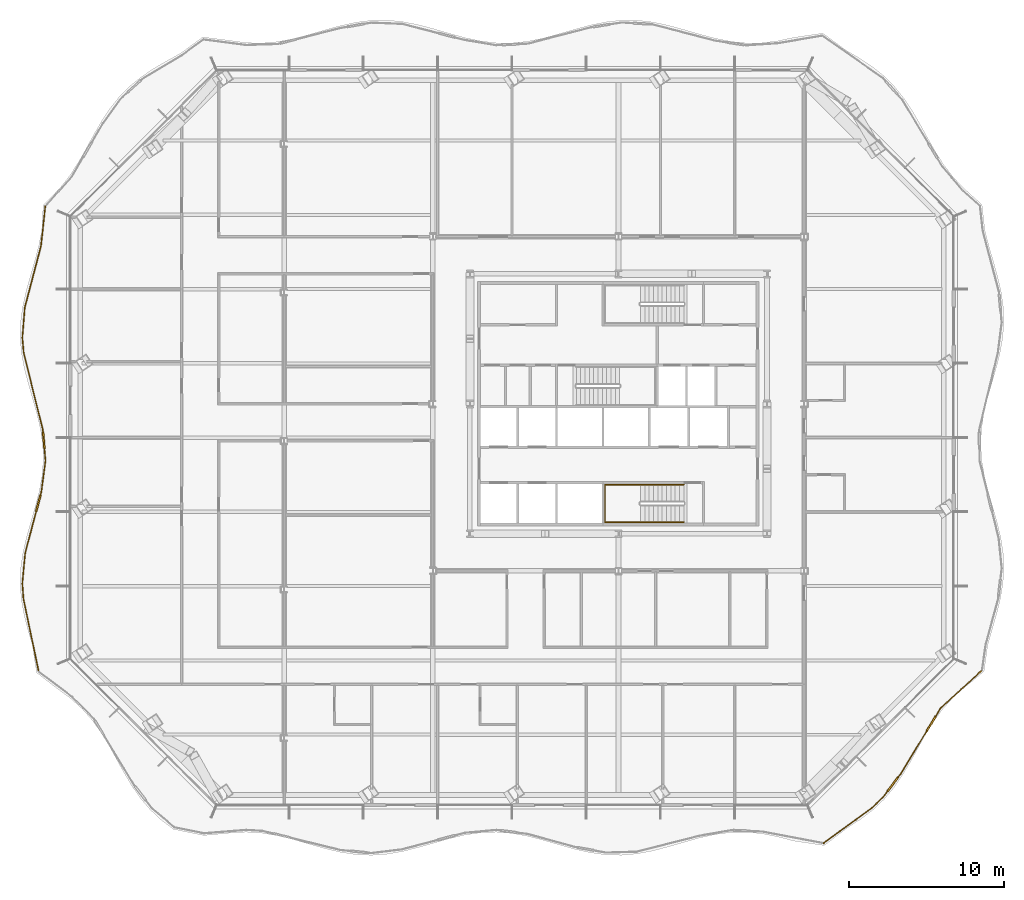
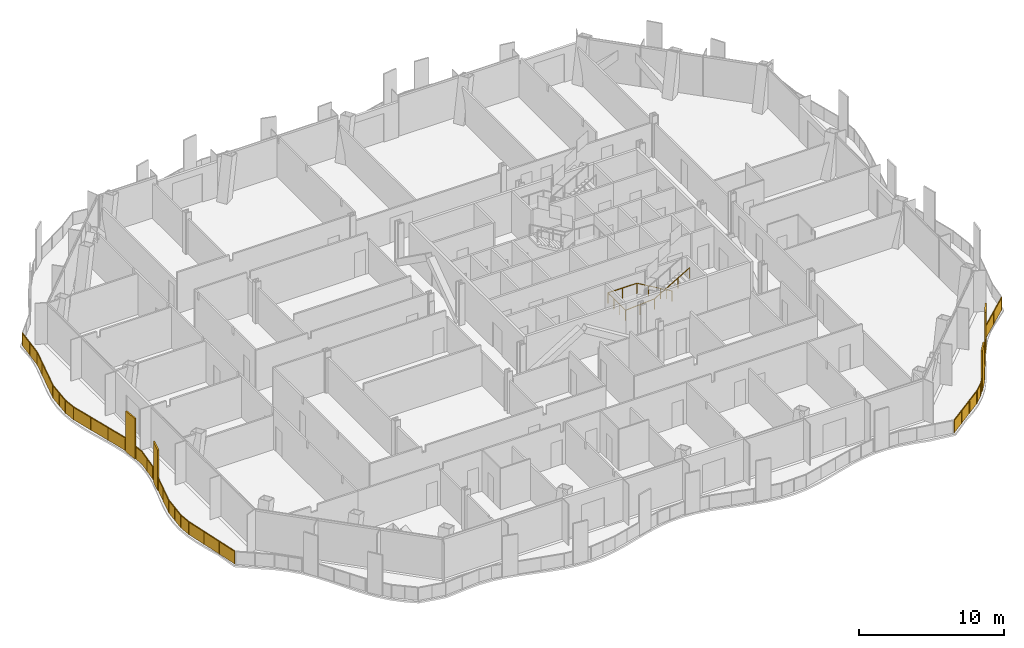
# One storey, part 15 of 19: 3 railings.
"""IFC4 building model written with IfcOpenShell, lengths in metres."""

import ifcopenshell
import ifcopenshell.guid

model = None  # the IFC model being written
_history = None  # IfcOwnerHistory: only IFC2X3 demands one
_inside = {}  # id of a spatial element -> (the spatial element, [elements in it])
_under = {}  # id of a project, library or spatial element -> (it, [spatial elements below it])
_declared = {}  # id of a project -> (the project, [libraries it declares])
_typed = {}  # id of a type object -> (the type object, [elements of that type])
_made_of = {}  # id of a material, layer set ... -> (it, [elements and type objects made of it])


def new_model(schema):
    """Start an empty IFC model of exactly this schema.

    Asked for "IFC4X3", IfcOpenShell would pick the latest addendum, in which some entities
    have other attributes; the version numbers below select the first issue.
    IFC2X3 requires an IfcOwnerHistory on every rooted entity: one is made here for all.
    """
    global model, _history
    if schema == "IFC4X3":
        model = ifcopenshell.file(schema_version=(4, 3, 0, 0))
    else:
        model = ifcopenshell.file(schema=schema)
    _inside.clear()
    _under.clear()
    _declared.clear()
    _typed.clear()
    _made_of.clear()
    _history = None
    if model.schema == "IFC2X3":
        org = make("IfcOrganization", Name="unknown")
        user = make(
            "IfcPersonAndOrganization",
            ThePerson=make("IfcPerson", FamilyName="unknown"),
            TheOrganization=org,
        )
        app = make(
            "IfcApplication",
            ApplicationDeveloper=org,
            Version="unknown",
            ApplicationFullName="unknown",
            ApplicationIdentifier="unknown",
        )
        _history = make(
            "IfcOwnerHistory",
            OwningUser=user,
            OwningApplication=app,
            ChangeAction="ADDED",
            CreationDate=0,
        )
    return model


def make(cls, **values):
    """One entity of the class cls with the attributes given. An attribute that is None is left unset."""
    return model.create_entity(
        cls, **{name: value for name, value in values.items() if value is not None}
    )


def rooted(cls, **values):
    """An entity with a GlobalId (a new one), such as an element, a storey or a relation."""
    return make(cls, GlobalId=ifcopenshell.guid.new(), OwnerHistory=_history, **values)


def si_unit(unit_type, name, prefix=None):
    """IfcSIUnit, for example si_unit("LENGTHUNIT", "METRE", prefix="MILLI")."""
    return make("IfcSIUnit", UnitType=unit_type, Prefix=prefix, Name=name)


def assignment(units):
    """IfcUnitAssignment: the units of a project."""
    return None if units is None else make("IfcUnitAssignment", Units=units)


def point(xyz):
    """IfcCartesianPoint."""
    return None if xyz is None else make("IfcCartesianPoint", Coordinates=xyz)


def direction(xyz):
    """IfcDirection."""
    return None if xyz is None else make("IfcDirection", DirectionRatios=xyz)


def frame(location, z_axis=None, x_axis=None):
    """IfcAxis2Placement3D, a coordinate frame: its origin and axes. An axis left out is left unset."""
    return make(
        "IfcAxis2Placement3D",
        Location=point(location),
        Axis=direction(z_axis),
        RefDirection=direction(x_axis),
    )


def frame_2d(location, x_axis=None):
    """IfcAxis2Placement2D, a coordinate frame in the plane: its origin and x axis."""
    return make(
        "IfcAxis2Placement2D", Location=point(location), RefDirection=direction(x_axis)
    )


def origin():
    """The frame at (0, 0, 0) with its axes left unset."""
    return frame((0.0, 0.0, 0.0))


def origin_2d():
    """The frame at (0, 0) in the plane with its x axis left unset."""
    return frame_2d((0.0, 0.0))


def place(relative_to, where):
    """IfcLocalPlacement: puts the frame where relative to a parent placement (None: the world)."""
    return make(
        "IfcLocalPlacement", PlacementRelTo=relative_to, RelativePlacement=where
    )


def context(
    kind, dimensions, precision=None, world=None, true_north=None, identifier=None
):
    """IfcGeometricRepresentationContext, for example the 3D "Model" context."""
    return make(
        "IfcGeometricRepresentationContext",
        ContextIdentifier=identifier,
        ContextType=kind,
        CoordinateSpaceDimension=dimensions,
        Precision=precision,
        WorldCoordinateSystem=world,
        TrueNorth=true_north,
    )


def subcontext(parent, identifier, kind, view, scale=None):
    """IfcGeometricRepresentationSubContext, for example "Body" below "Model"."""
    return make(
        "IfcGeometricRepresentationSubContext",
        ContextIdentifier=identifier,
        ContextType=kind,
        ParentContext=parent,
        TargetScale=scale,
        TargetView=view,
    )


def project(units=None, contexts=None):
    """IfcProject with its units and contexts."""
    return rooted(
        "IfcProject",
        Name="project",
        RepresentationContexts=contexts,
        UnitsInContext=assignment(units),
    )


def spatial(cls, under=None, at=None, **own):
    """A site, building, storey or space (cls), placed at a placement, below another one or the project."""
    s = rooted(cls, ObjectPlacement=at, **own)
    if under is not None:
        _under.setdefault(under.id(), (under, []))[1].append(s)
    return s


def polyline(points):
    """IfcPolyline through the points."""
    return make("IfcPolyline", Points=[point(p) for p in points])


def profile(cls, at=None, kind="AREA", **sizes):
    """A parametric profile (cls). Its sizes go by their IFC names, for example OverallWidth=200.0."""
    return make(cls, ProfileType=kind, Position=at, **sizes)


def rectangle(**sizes):
    """IfcRectangleProfileDef."""
    return profile("IfcRectangleProfileDef", **sizes)


def outline(outer, holes=None, kind="AREA"):
    """IfcArbitraryClosedProfileDef: a profile drawn as a closed curve; with holes, ...WithVoids."""
    if holes is None:
        return make("IfcArbitraryClosedProfileDef", ProfileType=kind, OuterCurve=outer)
    return make(
        "IfcArbitraryProfileDefWithVoids",
        ProfileType=kind,
        OuterCurve=outer,
        InnerCurves=holes,
    )


def extrude(swept, where, along, depth):
    """IfcExtrudedAreaSolid: the profile swept, set in the frame where, extruded along a direction by depth."""
    return make(
        "IfcExtrudedAreaSolid",
        SweptArea=swept,
        Position=where,
        ExtrudedDirection=direction(along),
        Depth=depth,
    )


def shape(context_of_items, identifier, shape_type, items):
    """IfcShapeRepresentation: the items that make up one representation, for example the "Body"."""
    return make(
        "IfcShapeRepresentation",
        ContextOfItems=context_of_items,
        RepresentationIdentifier=identifier,
        RepresentationType=shape_type,
        Items=items,
    )


def material(Name=None, Category=None):
    """IfcMaterial."""
    return make("IfcMaterial", Name=Name, Category=Category)


def made_of(thing, what):
    """Note that an element or type object is made of a material, layer set ...; save() writes the relation."""
    if what is not None:
        _made_of.setdefault(what.id(), (what, []))[1].append(thing)
    return thing


def type_object(cls, material=None, **own):
    """A type object (cls), such as IfcWallType, which elements share."""
    return made_of(rooted(cls, **own), material)


def element(
    cls,
    number,
    at=None,
    inside=None,
    cuts=None,
    type_object=None,
    material=None,
    context=None,
    identifier="Body",
    shape_type=None,
    held_by="IfcProductDefinitionShape",
    body=None,
    shapes=None,
    **own,
):
    """One element of the class cls, such as IfcWall. Its Tag is "e" and its number.

    at: its placement. inside: the storey or other place that contains it. cuts: it is an
    opening in that element (IfcRelVoidsElement). A single representation is given by context,
    identifier, shape_type and body (its items); several are given by shapes. held_by: the class
    of the entity that holds the representations. save() writes the other relations.
    """
    e = rooted(cls, Tag="e%d" % number, ObjectPlacement=at, **own)
    if body is not None:
        shapes = [shape(context, identifier, shape_type, body)]
    if shapes is not None:
        e.Representation = make(held_by, Representations=shapes)
    if inside is not None:
        _inside.setdefault(inside.id(), (inside, []))[1].append(e)
    if cuts is not None:
        rooted(
            "IfcRelVoidsElement", RelatingBuildingElement=cuts, RelatedOpeningElement=e
        )
    if type_object is not None:
        _typed.setdefault(type_object.id(), (type_object, []))[1].append(e)
    return made_of(e, material)


def aggregate(whole, parts):
    """IfcRelAggregates: a whole, such as a stair, and the parts it consists of."""
    return rooted("IfcRelAggregates", RelatingObject=whole, RelatedObjects=parts)


def save(model, path):
    """Write the relations noted so far, then the file.

    IfcRelAggregates (storeys below a building ...), IfcRelContainedInSpatialStructure (elements
    in a storey), IfcRelDefinesByType, IfcRelAssociatesMaterial and IfcRelDeclares: one each for
    every whole, place, type object, material and project.
    """
    for whole, parts in _under.values():
        aggregate(whole, parts)
    for where, things in _inside.values():
        rooted(
            "IfcRelContainedInSpatialStructure",
            RelatedElements=things,
            RelatingStructure=where,
        )
    for kind, things in _typed.values():
        rooted("IfcRelDefinesByType", RelatedObjects=things, RelatingType=kind)
    for what, things in _made_of.values():
        rooted("IfcRelAssociatesMaterial", RelatedObjects=things, RelatingMaterial=what)
    for by, libraries in _declared.values():
        rooted("IfcRelDeclares", RelatingContext=by, RelatedDefinitions=libraries)
    model.write(path)


model = new_model("IFC4")

# Units and contexts
model_context = context("Model", 3, precision=1e-05, world=origin(), true_north=direction((0.0, 1.0)))
body_context = subcontext(model_context, "Body", "Model", "MODEL_VIEW")
ifc_project = project(units=[si_unit("LENGTHUNIT", "METRE"), si_unit("AREAUNIT", "SQUARE_METRE"), si_unit("VOLUMEUNIT", "CUBIC_METRE"), si_unit("PLANEANGLEUNIT", "RADIAN"), si_unit("MASSUNIT", "GRAM", prefix="KILO")], contexts=[model_context])

# Site, building, storey
site_placement = place(None, origin())
site = spatial("IfcSite", under=ifc_project, at=site_placement, CompositionType="ELEMENT")
building_placement = place(site_placement, origin())
building = spatial("IfcBuilding", under=site, at=building_placement, Name="Cairn Pilgrim Tower", CompositionType="ELEMENT")
storey_placement = place(building_placement, frame((0.0, 0.0, 90.60009765625)))
storey = spatial("IfcBuildingStorey", under=building, at=storey_placement, Name="L21", CompositionType="ELEMENT", Elevation=90.60009765625)

# Railings
ifc_material_1 = material(Name="Bronze anodised aluminium rail, posts and fin screens with laminated glass infill", Category="aluminium")
railing_type_1 = type_object("IfcRailingType", Name="BALCONY GUARD WITH FIN SCREENS", PredefinedType="GUARDRAIL", material=ifc_material_1)
railing_1_placement = place(storey_placement, frame((20.465087890625, -25.994140625, 0.0)))
element("IfcRailing", 1, at=railing_1_placement, inside=storey, type_object=railing_type_1, Name="Balcony guard BGF-1 with fin screens", PredefinedType="GUARDRAIL", context=body_context, shape_type="SweptSolid", body=[
    extrude(rectangle(XDim=0.050048828125, YDim=0.050048828125, at=origin_2d()), frame((0.0, 0.0, 1.0751953125), z_axis=(0.807432819164, 0.589959526185, 0.0), x_axis=(-0.589959526185, 0.807432819164, 0.0)), (0.0, 0.0, 1.0), 3.86181640625),
    extrude(rectangle(XDim=0.050048828125, YDim=0.050048828125, at=origin_2d()), frame((3.1181640625, 2.2783203125, 1.0751953125), z_axis=(0.723519197684, 0.690304259427, 0.0), x_axis=(-0.690304259427, 0.723519197684, 0.0)), (0.0, 0.0, 1.0), 0.9482421875),
    extrude(rectangle(XDim=1.10009765625, YDim=0.110107421875, at=origin_2d()), frame((4.4697265625, 3.806640625, 0.0), z_axis=(0.0, 0.0, 1.0), x_axis=(0.605891332539, 0.795547417288, 0.0)), (0.0, 0.0, 1.0), 3.39990234375),
    extrude(rectangle(XDim=0.050048828125, YDim=0.050048828125, at=origin_2d()), frame((3.80419921875, 2.932861328125, 1.0751953125), z_axis=(0.605891332539, 0.795547417288, 0.0), x_axis=(-0.795547417288, 0.605891332539, 0.0)), (0.0, 0.0, 1.0), 0.54833984375),
    extrude(rectangle(XDim=0.050048828125, YDim=0.050048828125, at=origin_2d()), frame((4.802978515625, 4.244140625, 1.0751953125), z_axis=(0.605891332539, 0.795547417288, 0.0), x_axis=(-0.795547417288, 0.605891332539, 0.0)), (0.0, 0.0, 1.0), 0.2890625),
    extrude(rectangle(XDim=1.10009765625, YDim=0.110107421875, at=origin_2d()), frame((6.954833984375, 7.726806640625, 0.0), z_axis=(0.0, 0.0, 1.0), x_axis=(0.519337068496, 0.854569487687, 0.0)), (0.0, 0.0, 1.0), 3.39990234375),
    extrude(rectangle(XDim=0.050048828125, YDim=0.050048828125, at=origin_2d()), frame((4.97802734375, 4.47412109375, 1.0751953125), z_axis=(0.519337068496, 0.854569487687, 0.0), x_axis=(-0.854569487687, 0.519337068496, 0.0)), (0.0, 0.0, 1.0), 3.25634765625),
    extrude(rectangle(XDim=0.050048828125, YDim=0.050048828125, at=origin_2d()), frame((7.240478515625, 8.19677734375, 1.0751953125), z_axis=(0.519337068496, 0.854569487687, 0.0), x_axis=(-0.854569487687, 0.519337068496, 0.0)), (0.0, 0.0, 1.0), 0.6484375),
    extrude(rectangle(XDim=0.050048828125, YDim=0.050048828125, at=origin_2d()), frame((7.5771484375, 8.7509765625, 1.0751953125), z_axis=(0.738561836319, 0.67418574142, 0.0), x_axis=(-0.67418574142, 0.738561836319, 0.0)), (0.0, 0.0, 1.0), 3.53076171875),
    extrude(rectangle(XDim=0.050048828125, YDim=0.050048828125, at=origin_2d()), origin(), (0.0, 0.0, 1.0), 1.050048828125),
    extrude(rectangle(XDim=0.050048828125, YDim=0.050048828125, at=origin_2d()), frame((1.039306640625, 0.759521484375, 0.0)), (0.0, 0.0, 1.0), 1.050048828125),
    extrude(rectangle(XDim=0.050048828125, YDim=0.050048828125, at=origin_2d()), frame((2.078857421875, 1.518798828125, 0.0)), (0.0, 0.0, 1.0), 1.050048828125),
    extrude(rectangle(XDim=0.050048828125, YDim=0.050048828125, at=origin_2d()), frame((3.1181640625, 2.2783203125, 0.0)), (0.0, 0.0, 1.0), 1.050048828125),
    extrude(rectangle(XDim=0.050048828125, YDim=0.050048828125, at=origin_2d()), frame((3.80419921875, 2.932861328125, 0.0)), (0.0, 0.0, 1.0), 1.050048828125),
    extrude(rectangle(XDim=0.050048828125, YDim=0.050048828125, at=origin_2d()), frame((4.121337890625, 3.34912109375, 0.0)), (0.0, 0.0, 1.0), 1.050048828125),
    extrude(rectangle(XDim=0.050048828125, YDim=0.050048828125, at=origin_2d()), frame((4.818115234375, 4.26416015625, 0.0)), (0.0, 0.0, 1.0), 1.050048828125),
    extrude(rectangle(XDim=0.050048828125, YDim=0.050048828125, at=origin_2d()), frame((4.97802734375, 4.47412109375, 0.0)), (0.0, 0.0, 1.0), 1.050048828125),
    extrude(rectangle(XDim=0.050048828125, YDim=0.050048828125, at=origin_2d()), frame((5.817138671875, 5.854736328125, 0.0)), (0.0, 0.0, 1.0), 1.050048828125),
    extrude(rectangle(XDim=0.050048828125, YDim=0.050048828125, at=origin_2d()), frame((6.656005859375, 7.2353515625, 0.0)), (0.0, 0.0, 1.0), 1.050048828125),
    extrude(rectangle(XDim=0.050048828125, YDim=0.050048828125, at=origin_2d()), frame((7.25341796875, 8.21826171875, 0.0)), (0.0, 0.0, 1.0), 1.050048828125),
    extrude(rectangle(XDim=0.050048828125, YDim=0.050048828125, at=origin_2d()), frame((7.5771484375, 8.7509765625, 0.0)), (0.0, 0.0, 1.0), 1.050048828125),
    extrude(rectangle(XDim=0.050048828125, YDim=0.050048828125, at=origin_2d()), frame((8.880859375, 9.941162109375, 0.0)), (0.0, 0.0, 1.0), 1.050048828125),
    extrude(rectangle(XDim=0.050048828125, YDim=0.050048828125, at=origin_2d()), frame((10.184814453125, 11.13134765625, 0.0)), (0.0, 0.0, 1.0), 1.050048828125),
    extrude(outline(polyline([(0.02490234375, 0.0), (1.26220703125, 0.0), (1.26220703125, 1.050048828125), (0.02490234375, 1.050048828125), (0.02490234375, 0.0)])), frame((-0.00341796875, 0.0048828125, 0.0), z_axis=(0.589959526185, -0.807432819164, 0.0), x_axis=(0.807432819164, 0.589959526185, 0.0)), (0.0, 0.0, 1.0), 0.011962890625),
    extrude(outline(polyline([(0.02490234375, 0.0), (1.26220703125, 0.0), (1.26220703125, 1.050048828125), (0.02490234375, 1.050048828125), (0.02490234375, 0.0)])), frame((1.035888671875, 0.76416015625, 0.0), z_axis=(0.589959526185, -0.807432819164, 0.0), x_axis=(0.807432819164, 0.589959526185, 0.0)), (0.0, 0.0, 1.0), 0.011962890625),
    extrude(outline(polyline([(0.02490234375, 0.0), (1.26220703125, 0.0), (1.26220703125, 1.050048828125), (0.02490234375, 1.050048828125), (0.02490234375, 0.0)])), frame((2.0751953125, 1.523681640625, 0.0), z_axis=(0.589959526185, -0.807432819164, 0.0), x_axis=(0.807432819164, 0.589959526185, 0.0)), (0.0, 0.0, 1.0), 0.011962890625),
    extrude(outline(polyline([(0.02490234375, 0.0), (0.923095703125, 0.0), (0.923095703125, 1.050048828125), (0.02490234375, 1.050048828125), (0.02490234375, 0.0)])), frame((3.114013671875, 2.28271484375, 0.0), z_axis=(0.690304259427, -0.723519197684, 0.0), x_axis=(0.723519197684, 0.690304259427, 0.0)), (0.0, 0.0, 1.0), 0.011962890625),
    extrude(outline(polyline([(0.02490234375, 0.0), (0.498291015625, 0.0), (0.498291015625, 1.050048828125), (0.02490234375, 1.050048828125), (0.02490234375, 0.0)])), frame((3.799560546875, 2.9365234375, 0.0), z_axis=(0.795547417288, -0.605891332539, 0.0), x_axis=(0.605891332539, 0.795547417288, 0.0)), (0.0, 0.0, 1.0), 0.011962890625),
    extrude(outline(polyline([(0.02490234375, 0.0), (0.239013671875, 0.0), (0.239013671875, 1.050048828125), (0.02490234375, 1.050048828125), (0.02490234375, 0.0)])), frame((4.813232421875, 4.267822265625, 0.0), z_axis=(0.795547417288, -0.605891332539, 0.0), x_axis=(0.605891332539, 0.795547417288, 0.0)), (0.0, 0.0, 1.0), 0.011962890625),
    extrude(outline(polyline([(0.02490234375, 0.0), (1.590576171875, 0.0), (1.590576171875, 1.050048828125), (0.02490234375, 1.050048828125), (0.02490234375, 0.0)])), frame((4.972900390625, 4.477294921875, 0.0), z_axis=(0.854569487687, -0.519337068496, 0.0), x_axis=(0.519337068496, 0.854569487687, 0.0)), (0.0, 0.0, 1.0), 0.011962890625),
    extrude(outline(polyline([(0.02490234375, 0.0), (1.590576171875, 0.0), (1.590576171875, 1.050048828125), (0.02490234375, 1.050048828125), (0.02490234375, 0.0)])), frame((5.81201171875, 5.85791015625, 0.0), z_axis=(0.854569487687, -0.519337068496, 0.0), x_axis=(0.519337068496, 0.854569487687, 0.0)), (0.0, 0.0, 1.0), 0.011962890625),
    extrude(outline(polyline([(0.02490234375, 0.0), (0.598388671875, 0.0), (0.598388671875, 1.050048828125), (0.02490234375, 1.050048828125), (0.02490234375, 0.0)])), frame((7.248291015625, 8.22119140625, 0.0), z_axis=(0.854569487687, -0.519337068496, 0.0), x_axis=(0.519337068496, 0.854569487687, 0.0)), (0.0, 0.0, 1.0), 0.011962890625),
    extrude(outline(polyline([(0.02490234375, 0.0), (1.740234375, 0.0), (1.740234375, 1.050048828125), (0.02490234375, 1.050048828125), (0.02490234375, 0.0)])), frame((7.572998046875, 8.75537109375, 0.0), z_axis=(0.67418574142, -0.738561836319, 0.0), x_axis=(0.738561836319, 0.67418574142, 0.0)), (0.0, 0.0, 1.0), 0.011962890625),
    extrude(outline(polyline([(0.02490234375, 0.0), (1.740234375, 0.0), (1.740234375, 1.050048828125), (0.02490234375, 1.050048828125), (0.02490234375, 0.0)])), frame((8.876953125, 9.945556640625, 0.0), z_axis=(0.67418574142, -0.738561836319, 0.0), x_axis=(0.738561836319, 0.67418574142, 0.0)), (0.0, 0.0, 1.0), 0.011962890625),
])
railing_2_placement = place(storey_placement, frame((-29.841796875, 15.17333984375, 0.0)))
element("IfcRailing", 2, at=railing_2_placement, inside=storey, type_object=railing_type_1, Name="Balcony guard BGF-6 with fin screens", PredefinedType="GUARDRAIL", context=body_context, shape_type="SweptSolid", body=[
    extrude(rectangle(XDim=0.050048828125, YDim=0.050048828125, at=origin_2d()), frame((0.0, 0.0, 1.0751953125), z_axis=(-0.107811935791, -0.994171306416, 0.0), x_axis=(0.994171306416, -0.107811935791, 0.0)), (0.0, 0.0, 1.0), 2.58837890625),
    extrude(rectangle(XDim=0.050048828125, YDim=0.050048828125, at=origin_2d()), frame((-0.279052734375, -2.5732421875, 1.0751953125), z_axis=(-0.254952755071, -0.966953511128, 0.0), x_axis=(0.966953511128, -0.254952755071, 0.0)), (0.0, 0.0, 1.0), 4.106201171875),
    extrude(rectangle(XDim=0.050048828125, YDim=0.050048828125, at=origin_2d()), frame((-1.325927734375, -6.543701171875, 1.0751953125), z_axis=(-0.079829107827, -0.99680856414, 0.0), x_axis=(0.99680856414, -0.079829107827, 0.0)), (0.0, 0.0, 1.0), 1.966552734375),
    extrude(rectangle(XDim=0.050048828125, YDim=0.050048828125, at=origin_2d()), frame((-1.48291015625, -8.50390625, 1.0751953125), z_axis=(0.086846237799, -0.99622172782, 0.0), x_axis=(0.99622172782, 0.086846237799, 0.0)), (0.0, 0.0, 1.0), 0.97265625),
    extrude(rectangle(XDim=0.050048828125, YDim=0.050048828125, at=origin_2d()), frame((-1.3984375, -9.472900390625, 1.0751953125), z_axis=(0.241468981361, -0.970408538215, 0.0), x_axis=(0.970408538215, 0.241468981361, 0.0)), (0.0, 0.0, 1.0), 5.116943359375),
    extrude(rectangle(XDim=1.10009765625, YDim=0.110107421875, at=origin_2d()), frame((-0.10302734375, -15.135986328125, 0.0), z_axis=(0.0, 0.0, 1.0), x_axis=(0.085623784974, -0.996327540243, 0.0)), (0.0, 0.0, 1.0), 3.39990234375),
    extrude(rectangle(XDim=0.050048828125, YDim=0.050048828125, at=origin_2d()), frame((-0.162841796875, -14.4384765625, 1.0751953125), z_axis=(0.085623784974, -0.996327540243, 0.0), x_axis=(0.996327540243, 0.085623784974, 0.0)), (0.0, 0.0, 1.0), 0.14990234375),
    extrude(rectangle(XDim=0.050048828125, YDim=0.050048828125, at=origin_2d()), frame((-0.055908203125, -15.683837890625, 1.0751953125), z_axis=(0.085623784974, -0.996327540243, 0.0), x_axis=(0.996327540243, 0.085623784974, 0.0)), (0.0, 0.0, 1.0), 0.771728515625),
    extrude(rectangle(XDim=0.050048828125, YDim=0.050048828125, at=origin_2d()), frame((0.01025390625, -16.45263671875, 1.0751953125), z_axis=(-0.130414054849, -0.991459618087, 0.0), x_axis=(0.991459618087, -0.130414054849, 0.0)), (0.0, 0.0, 1.0), 2.029296875),
    extrude(rectangle(XDim=1.10009765625, YDim=0.110107421875, at=origin_2d()), frame((-0.45263671875, -19.212890625, 0.0), z_axis=(0.0, 0.0, 1.0), x_axis=(-0.255956293071, -0.966688355178, 0.0)), (0.0, 0.0, 1.0), 3.39990234375),
    extrude(rectangle(XDim=0.050048828125, YDim=0.050048828125, at=origin_2d()), frame((-0.25439453125, -18.464599609375, 1.0751953125), z_axis=(-0.255956293071, -0.966688355178, 0.0), x_axis=(0.966688355178, -0.255956293071, 0.0)), (0.0, 0.0, 1.0), 0.22412109375),
    extrude(rectangle(XDim=0.050048828125, YDim=0.050048828125, at=origin_2d()), frame((-0.59326171875, -19.74462890625, 1.0751953125), z_axis=(-0.255956293071, -0.966688355178, 0.0), x_axis=(0.966688355178, -0.255956293071, 0.0)), (0.0, 0.0, 1.0), 2.7822265625),
    extrude(rectangle(XDim=0.050048828125, YDim=0.050048828125, at=origin_2d()), frame((-1.305419921875, -22.43408203125, 1.0751953125), z_axis=(-0.091474468188, -0.99580742198, 0.0), x_axis=(0.99580742198, -0.091474468188, 0.0)), (0.0, 0.0, 1.0), 1.9697265625),
    extrude(rectangle(XDim=0.050048828125, YDim=0.050048828125, at=origin_2d()), frame((-1.485595703125, -24.3955078125, 1.0751953125), z_axis=(0.074740067607, -0.997203049682, 0.0), x_axis=(0.997203049682, 0.074740067607, 0.0)), (0.0, 0.0, 1.0), 0.973388671875),
    extrude(rectangle(XDim=0.050048828125, YDim=0.050048828125, at=origin_2d()), frame((-1.412841796875, -25.3662109375, 1.0751953125), z_axis=(0.204297164916, -0.978908917319, 0.0), x_axis=(0.978908917319, 0.204297164916, 0.0)), (0.0, 0.0, 1.0), 4.747802734375),
    extrude(rectangle(XDim=0.050048828125, YDim=0.050048828125, at=origin_2d()), origin(), (0.0, 0.0, 1.0), 1.050048828125),
    extrude(rectangle(XDim=0.050048828125, YDim=0.050048828125, at=origin_2d()), frame((-0.1396484375, -1.28662109375, 0.0)), (0.0, 0.0, 1.0), 1.050048828125),
    extrude(rectangle(XDim=0.050048828125, YDim=0.050048828125, at=origin_2d()), frame((-0.279052734375, -2.5732421875, 0.0)), (0.0, 0.0, 1.0), 1.050048828125),
    extrude(rectangle(XDim=0.050048828125, YDim=0.050048828125, at=origin_2d()), frame((-0.6279296875, -3.896728515625, 0.0)), (0.0, 0.0, 1.0), 1.050048828125),
    extrude(rectangle(XDim=0.050048828125, YDim=0.050048828125, at=origin_2d()), frame((-0.97705078125, -5.22021484375, 0.0)), (0.0, 0.0, 1.0), 1.050048828125),
    extrude(rectangle(XDim=0.050048828125, YDim=0.050048828125, at=origin_2d()), frame((-1.325927734375, -6.543701171875, 0.0)), (0.0, 0.0, 1.0), 1.050048828125),
    extrude(rectangle(XDim=0.050048828125, YDim=0.050048828125, at=origin_2d()), frame((-1.404296875, -7.52392578125, 0.0)), (0.0, 0.0, 1.0), 1.050048828125),
    extrude(rectangle(XDim=0.050048828125, YDim=0.050048828125, at=origin_2d()), frame((-1.48291015625, -8.50390625, 0.0)), (0.0, 0.0, 1.0), 1.050048828125),
    extrude(rectangle(XDim=0.050048828125, YDim=0.050048828125, at=origin_2d()), frame((-1.3984375, -9.472900390625, 0.0)), (0.0, 0.0, 1.0), 1.050048828125),
    extrude(rectangle(XDim=0.050048828125, YDim=0.050048828125, at=origin_2d()), frame((-0.986572265625, -11.128173828125, 0.0)), (0.0, 0.0, 1.0), 1.050048828125),
    extrude(rectangle(XDim=0.050048828125, YDim=0.050048828125, at=origin_2d()), frame((-0.57470703125, -12.783203125, 0.0)), (0.0, 0.0, 1.0), 1.050048828125),
    extrude(rectangle(XDim=0.050048828125, YDim=0.050048828125, at=origin_2d()), frame((-0.162841796875, -14.4384765625, 0.0)), (0.0, 0.0, 1.0), 1.050048828125),
    extrude(rectangle(XDim=0.050048828125, YDim=0.050048828125, at=origin_2d()), frame((-0.152099609375, -14.56298828125, 0.0)), (0.0, 0.0, 1.0), 1.050048828125),
    extrude(rectangle(XDim=0.050048828125, YDim=0.050048828125, at=origin_2d()), frame((-0.0537109375, -15.708740234375, 0.0)), (0.0, 0.0, 1.0), 1.050048828125),
    extrude(rectangle(XDim=0.050048828125, YDim=0.050048828125, at=origin_2d()), frame((0.01025390625, -16.45263671875, 0.0)), (0.0, 0.0, 1.0), 1.050048828125),
    extrude(rectangle(XDim=0.050048828125, YDim=0.050048828125, at=origin_2d()), frame((-0.1220703125, -17.45849609375, 0.0)), (0.0, 0.0, 1.0), 1.050048828125),
    extrude(rectangle(XDim=0.050048828125, YDim=0.050048828125, at=origin_2d()), frame((-0.25439453125, -18.464599609375, 0.0)), (0.0, 0.0, 1.0), 1.050048828125),
    extrude(rectangle(XDim=0.050048828125, YDim=0.050048828125, at=origin_2d()), frame((-0.305419921875, -18.656982421875, 0.0)), (0.0, 0.0, 1.0), 1.050048828125),
    extrude(rectangle(XDim=0.050048828125, YDim=0.050048828125, at=origin_2d()), frame((-0.599609375, -19.768798828125, 0.0)), (0.0, 0.0, 1.0), 1.050048828125),
    extrude(rectangle(XDim=0.050048828125, YDim=0.050048828125, at=origin_2d()), frame((-0.95263671875, -21.101318359375, 0.0)), (0.0, 0.0, 1.0), 1.050048828125),
    extrude(rectangle(XDim=0.050048828125, YDim=0.050048828125, at=origin_2d()), frame((-1.305419921875, -22.43408203125, 0.0)), (0.0, 0.0, 1.0), 1.050048828125),
    extrude(rectangle(XDim=0.050048828125, YDim=0.050048828125, at=origin_2d()), frame((-1.3955078125, -23.414794921875, 0.0)), (0.0, 0.0, 1.0), 1.050048828125),
    extrude(rectangle(XDim=0.050048828125, YDim=0.050048828125, at=origin_2d()), frame((-1.485595703125, -24.3955078125, 0.0)), (0.0, 0.0, 1.0), 1.050048828125),
    extrude(rectangle(XDim=0.050048828125, YDim=0.050048828125, at=origin_2d()), frame((-1.412841796875, -25.3662109375, 0.0)), (0.0, 0.0, 1.0), 1.050048828125),
    extrude(rectangle(XDim=0.050048828125, YDim=0.050048828125, at=origin_2d()), frame((-1.089599609375, -26.91552734375, 0.0)), (0.0, 0.0, 1.0), 1.050048828125),
    extrude(rectangle(XDim=0.050048828125, YDim=0.050048828125, at=origin_2d()), frame((-0.76611328125, -28.464599609375, 0.0)), (0.0, 0.0, 1.0), 1.050048828125),
    extrude(rectangle(XDim=0.050048828125, YDim=0.050048828125, at=origin_2d()), frame((-0.44287109375, -30.013916015625, 0.0)), (0.0, 0.0, 1.0), 1.050048828125),
    extrude(outline(polyline([(0.02490234375, 0.0), (1.26904296875, 0.0), (1.26904296875, 1.050048828125), (0.02490234375, 1.050048828125), (0.02490234375, 0.0)])), frame((0.005859375, -0.000732421875, 0.0), z_axis=(-0.994171306416, 0.107811935791, 0.0), x_axis=(-0.107811935791, -0.994171306416, 0.0)), (0.0, 0.0, 1.0), 0.011962890625),
    extrude(outline(polyline([(0.02490234375, 0.0), (1.26904296875, 0.0), (1.26904296875, 1.050048828125), (0.02490234375, 1.050048828125), (0.02490234375, 0.0)])), frame((-0.133544921875, -1.287353515625, 0.0), z_axis=(-0.994171306416, 0.107811935791, 0.0), x_axis=(-0.107811935791, -0.994171306416, 0.0)), (0.0, 0.0, 1.0), 0.011962890625),
    extrude(outline(polyline([(0.02490234375, 0.0), (1.34375, 0.0), (1.34375, 1.050048828125), (0.02490234375, 1.050048828125), (0.02490234375, 0.0)])), frame((-0.273193359375, -2.57470703125, 0.0), z_axis=(-0.966953511128, 0.254952755071, 0.0), x_axis=(-0.254952755071, -0.966953511128, 0.0)), (0.0, 0.0, 1.0), 0.011962890625),
    extrude(outline(polyline([(0.02490234375, 0.0), (1.34375, 0.0), (1.34375, 1.050048828125), (0.02490234375, 1.050048828125), (0.02490234375, 0.0)])), frame((-0.622314453125, -3.898193359375, 0.0), z_axis=(-0.966953511128, 0.254952755071, 0.0), x_axis=(-0.254952755071, -0.966953511128, 0.0)), (0.0, 0.0, 1.0), 0.011962890625),
    extrude(outline(polyline([(0.02490234375, 0.0), (1.34375, 0.0), (1.34375, 1.050048828125), (0.02490234375, 1.050048828125), (0.02490234375, 0.0)])), frame((-0.97119140625, -5.2216796875, 0.0), z_axis=(-0.966953511128, 0.254952755071, 0.0), x_axis=(-0.254952755071, -0.966953511128, 0.0)), (0.0, 0.0, 1.0), 0.011962890625),
    extrude(outline(polyline([(0.02490234375, 0.0), (0.958251953125, 0.0), (0.958251953125, 1.050048828125), (0.02490234375, 1.050048828125), (0.02490234375, 0.0)])), frame((-1.320068359375, -6.544189453125, 0.0), z_axis=(-0.99680856414, 0.079829107827, 0.0), x_axis=(-0.079829107827, -0.99680856414, 0.0)), (0.0, 0.0, 1.0), 0.011962890625),
    extrude(outline(polyline([(0.02490234375, 0.0), (0.958251953125, 0.0), (0.958251953125, 1.050048828125), (0.02490234375, 1.050048828125), (0.02490234375, 0.0)])), frame((-1.3984375, -7.524169921875, 0.0), z_axis=(-0.99680856414, 0.079829107827, 0.0), x_axis=(-0.079829107827, -0.99680856414, 0.0)), (0.0, 0.0, 1.0), 0.011962890625),
    extrude(outline(polyline([(0.02490234375, 0.0), (0.94775390625, 0.0), (0.94775390625, 1.050048828125), (0.02490234375, 1.050048828125), (0.02490234375, 0.0)])), frame((-1.47705078125, -8.50341796875, 0.0), z_axis=(-0.99622172782, -0.086846237799, 0.0), x_axis=(0.086846237799, -0.99622172782, 0.0)), (0.0, 0.0, 1.0), 0.011962890625),
    extrude(outline(polyline([(0.02490234375, 0.0), (1.6806640625, 0.0), (1.6806640625, 1.050048828125), (0.02490234375, 1.050048828125), (0.02490234375, 0.0)])), frame((-1.392578125, -9.471435546875, 0.0), z_axis=(-0.970408538215, -0.241468981361, 0.0), x_axis=(0.241468981361, -0.970408538215, 0.0)), (0.0, 0.0, 1.0), 0.011962890625),
    extrude(outline(polyline([(0.02490234375, 0.0), (1.6806640625, 0.0), (1.6806640625, 1.050048828125), (0.02490234375, 1.050048828125), (0.02490234375, 0.0)])), frame((-0.980712890625, -11.126708984375, 0.0), z_axis=(-0.970408538215, -0.241468981361, 0.0), x_axis=(0.241468981361, -0.970408538215, 0.0)), (0.0, 0.0, 1.0), 0.011962890625),
    extrude(outline(polyline([(0.02490234375, 0.0), (1.6806640625, 0.0), (1.6806640625, 1.050048828125), (0.02490234375, 1.050048828125), (0.02490234375, 0.0)])), frame((-0.56884765625, -12.78173828125, 0.0), z_axis=(-0.970408538215, -0.241468981361, 0.0), x_axis=(0.241468981361, -0.970408538215, 0.0)), (0.0, 0.0, 1.0), 0.011962890625),
    extrude(outline(polyline([(0.02490234375, 0.0), (0.099853515625, 0.0), (0.099853515625, 1.050048828125), (0.02490234375, 1.050048828125), (0.02490234375, 0.0)])), frame((-0.156982421875, -14.43798828125, 0.0), z_axis=(-0.996327540243, -0.085623784974, 0.0), x_axis=(0.085623784974, -0.996327540243, 0.0)), (0.0, 0.0, 1.0), 0.011962890625),
    extrude(outline(polyline([(0.02490234375, 0.0), (0.7216796875, 0.0), (0.7216796875, 1.050048828125), (0.02490234375, 1.050048828125), (0.02490234375, 0.0)])), frame((-0.047607421875, -15.708251953125, 0.0), z_axis=(-0.996327540243, -0.085623784974, 0.0), x_axis=(0.085623784974, -0.996327540243, 0.0)), (0.0, 0.0, 1.0), 0.011962890625),
    extrude(outline(polyline([(0.02490234375, 0.0), (0.989501953125, 0.0), (0.989501953125, 1.050048828125), (0.02490234375, 1.050048828125), (0.02490234375, 0.0)])), frame((0.01611328125, -16.453369140625, 0.0), z_axis=(-0.991459618087, 0.130414054849, 0.0), x_axis=(-0.130414054849, -0.991459618087, 0.0)), (0.0, 0.0, 1.0), 0.011962890625),
    extrude(outline(polyline([(0.02490234375, 0.0), (0.989501953125, 0.0), (0.989501953125, 1.050048828125), (0.02490234375, 1.050048828125), (0.02490234375, 0.0)])), frame((-0.1162109375, -17.45947265625, 0.0), z_axis=(-0.991459618087, 0.130414054849, 0.0), x_axis=(-0.130414054849, -0.991459618087, 0.0)), (0.0, 0.0, 1.0), 0.011962890625),
    extrude(outline(polyline([(0.02490234375, 0.0), (0.174072265625, 0.0), (0.174072265625, 1.050048828125), (0.02490234375, 1.050048828125), (0.02490234375, 0.0)])), frame((-0.24853515625, -18.466064453125, 0.0), z_axis=(-0.966688355178, 0.255956293071, 0.0), x_axis=(-0.255956293071, -0.966688355178, 0.0)), (0.0, 0.0, 1.0), 0.011962890625),
    extrude(outline(polyline([(0.02490234375, 0.0), (1.353515625, 0.0), (1.353515625, 1.050048828125), (0.02490234375, 1.050048828125), (0.02490234375, 0.0)])), frame((-0.593994140625, -19.770263671875, 0.0), z_axis=(-0.966688355178, 0.255956293071, 0.0), x_axis=(-0.255956293071, -0.966688355178, 0.0)), (0.0, 0.0, 1.0), 0.011962890625),
    extrude(outline(polyline([(0.02490234375, 0.0), (1.353515625, 0.0), (1.353515625, 1.050048828125), (0.02490234375, 1.050048828125), (0.02490234375, 0.0)])), frame((-0.94677734375, -21.10302734375, 0.0), z_axis=(-0.966688355178, 0.255956293071, 0.0), x_axis=(-0.255956293071, -0.966688355178, 0.0)), (0.0, 0.0, 1.0), 0.011962890625),
    extrude(outline(polyline([(0.02490234375, 0.0), (0.959716796875, 0.0), (0.959716796875, 1.050048828125), (0.02490234375, 1.050048828125), (0.02490234375, 0.0)])), frame((-1.299560546875, -22.4345703125, 0.0), z_axis=(-0.99580742198, 0.091474468188, 0.0), x_axis=(-0.091474468188, -0.99580742198, 0.0)), (0.0, 0.0, 1.0), 0.011962890625),
    extrude(outline(polyline([(0.02490234375, 0.0), (0.959716796875, 0.0), (0.959716796875, 1.050048828125), (0.02490234375, 1.050048828125), (0.02490234375, 0.0)])), frame((-1.3896484375, -23.415283203125, 0.0), z_axis=(-0.99580742198, 0.091474468188, 0.0), x_axis=(-0.091474468188, -0.99580742198, 0.0)), (0.0, 0.0, 1.0), 0.011962890625),
    extrude(outline(polyline([(0.02490234375, 0.0), (0.948486328125, 0.0), (0.948486328125, 1.050048828125), (0.02490234375, 1.050048828125), (0.02490234375, 0.0)])), frame((-1.479736328125, -24.39501953125, 0.0), z_axis=(-0.997203049682, -0.074740067607, 0.0), x_axis=(0.074740067607, -0.997203049682, 0.0)), (0.0, 0.0, 1.0), 0.011962890625),
    extrude(outline(polyline([(0.02490234375, 0.0), (1.5576171875, 0.0), (1.5576171875, 1.050048828125), (0.02490234375, 1.050048828125), (0.02490234375, 0.0)])), frame((-1.406982421875, -25.364990234375, 0.0), z_axis=(-0.978908917319, -0.204297164916, 0.0), x_axis=(0.204297164916, -0.978908917319, 0.0)), (0.0, 0.0, 1.0), 0.011962890625),
    extrude(outline(polyline([(0.02490234375, 0.0), (1.5576171875, 0.0), (1.5576171875, 1.050048828125), (0.02490234375, 1.050048828125), (0.02490234375, 0.0)])), frame((-1.083740234375, -26.914306640625, 0.0), z_axis=(-0.978908917319, -0.204297164916, 0.0), x_axis=(0.204297164916, -0.978908917319, 0.0)), (0.0, 0.0, 1.0), 0.011962890625),
    extrude(outline(polyline([(0.02490234375, 0.0), (1.5576171875, 0.0), (1.5576171875, 1.050048828125), (0.02490234375, 1.050048828125), (0.02490234375, 0.0)])), frame((-0.76025390625, -28.46337890625, 0.0), z_axis=(-0.978908917319, -0.204297164916, 0.0), x_axis=(0.204297164916, -0.978908917319, 0.0)), (0.0, 0.0, 1.0), 0.011962890625),
])
ifc_material_2 = material(Name="Painted steel", Category="steel")
railing_type_2 = type_object("IfcRailingType", Name="STAIR HANDRAIL 900", PredefinedType="HANDRAIL", material=ifc_material_2)
railing_3_placement = place(storey_placement, frame((11.425048828125, -2.824951171875, 0.16357421875)))
element("IfcRailing", 3, at=railing_3_placement, inside=storey, type_object=railing_type_2, Name="L21 ST-A stair handrail 1", PredefinedType="HANDRAIL", context=body_context, shape_type="SweptSolid", body=[
    extrude(rectangle(XDim=0.048095703125, YDim=0.048095703125, at=origin_2d()), frame((0.0, 0.0, 0.8759765625), z_axis=(-0.863393664356, 0.0, 0.504530851732), x_axis=(0.0, -1.0, 0.0)), (0.0, 0.0, 1.0), 3.2431640625),
    extrude(rectangle(XDim=0.048095703125, YDim=0.048095703125, at=origin_2d()), frame((-2.800048828125, 0.0, 2.51220703125), z_axis=(-1.0, 0.0, 0.0), x_axis=(0.0, -1.0, 0.0)), (0.0, 0.0, 1.0), 2.300048828125),
    extrude(rectangle(XDim=0.048095703125, YDim=0.048095703125, at=origin_2d()), frame((-5.10009765625, 0.0, 2.51220703125), z_axis=(0.0, -1.0, 0.0), x_axis=(1.0, 0.0, 0.0)), (0.0, 0.0, 1.0), 2.425048828125),
    extrude(rectangle(XDim=0.048095703125, YDim=0.048095703125, at=origin_2d()), frame((-5.10009765625, -2.425048828125, 2.51220703125), z_axis=(0.99747319029, 0.0, 0.071043892441), x_axis=(0.0, 1.0, 0.0)), (0.0, 0.0, 1.0), 2.305908203125),
    extrude(rectangle(XDim=0.048095703125, YDim=0.048095703125, at=origin_2d()), frame((-2.800048828125, -2.425048828125, 2.67578125), z_axis=(0.863393664356, 0.0, 0.504530851732), x_axis=(0.0, 1.0, 0.0)), (0.0, 0.0, 1.0), 3.2431640625),
    extrude(rectangle(XDim=0.0419921875, YDim=0.0419921875, at=origin_2d()), origin(), (0.0, 0.0, 1.0), 0.851806640625),
    extrude(rectangle(XDim=0.0419921875, YDim=0.0419921875, at=origin_2d()), frame((-0.933349609375, 0.0, 0.54541015625)), (0.0, 0.0, 1.0), 0.851806640625),
    extrude(rectangle(XDim=0.0419921875, YDim=0.0419921875, at=origin_2d()), frame((-1.86669921875, 0.0, 1.0908203125)), (0.0, 0.0, 1.0), 0.851806640625),
    extrude(rectangle(XDim=0.0419921875, YDim=0.0419921875, at=origin_2d()), frame((-2.800048828125, 0.0, 1.63623046875)), (0.0, 0.0, 1.0), 0.851806640625),
    extrude(rectangle(XDim=0.0419921875, YDim=0.0419921875, at=origin_2d()), frame((-3.9501953125, 0.0, 1.63623046875)), (0.0, 0.0, 1.0), 0.851806640625),
    extrude(rectangle(XDim=0.0419921875, YDim=0.0419921875, at=origin_2d()), frame((-5.10009765625, 0.0, 1.63623046875)), (0.0, 0.0, 1.0), 0.851806640625),
    extrude(rectangle(XDim=0.0419921875, YDim=0.0419921875, at=origin_2d()), frame((-5.10009765625, -0.808349609375, 1.63623046875)), (0.0, 0.0, 1.0), 0.851806640625),
    extrude(rectangle(XDim=0.0419921875, YDim=0.0419921875, at=origin_2d()), frame((-5.10009765625, -1.61669921875, 1.63623046875)), (0.0, 0.0, 1.0), 0.851806640625),
    extrude(rectangle(XDim=0.0419921875, YDim=0.0419921875, at=origin_2d()), frame((-5.10009765625, -2.425048828125, 1.63623046875)), (0.0, 0.0, 1.0), 0.851806640625),
    extrude(rectangle(XDim=0.0419921875, YDim=0.0419921875, at=origin_2d()), frame((-3.9501953125, -2.425048828125, 1.71826171875)), (0.0, 0.0, 1.0), 0.851806640625),
    extrude(rectangle(XDim=0.0419921875, YDim=0.0419921875, at=origin_2d()), frame((-2.800048828125, -2.425048828125, 1.800048828125)), (0.0, 0.0, 1.0), 0.851806640625),
    extrude(rectangle(XDim=0.0419921875, YDim=0.0419921875, at=origin_2d()), frame((-1.86669921875, -2.425048828125, 2.345458984375)), (0.0, 0.0, 1.0), 0.851806640625),
    extrude(rectangle(XDim=0.0419921875, YDim=0.0419921875, at=origin_2d()), frame((-0.933349609375, -2.425048828125, 2.890869140625)), (0.0, 0.0, 1.0), 0.851806640625),
    extrude(rectangle(XDim=0.0419921875, YDim=0.0419921875, at=origin_2d()), frame((0.0, -2.425048828125, 3.436279296875)), (0.0, 0.0, 1.0), 0.851806640625),
])

save(model, "model.ifc")
